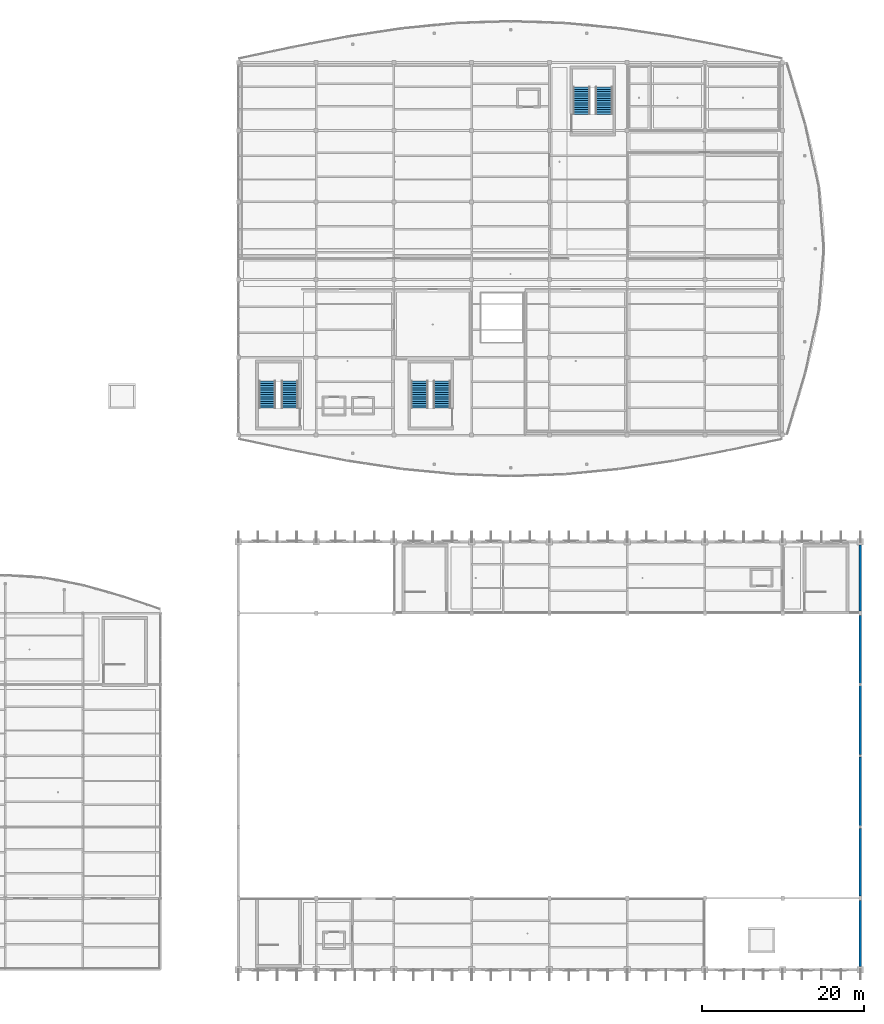
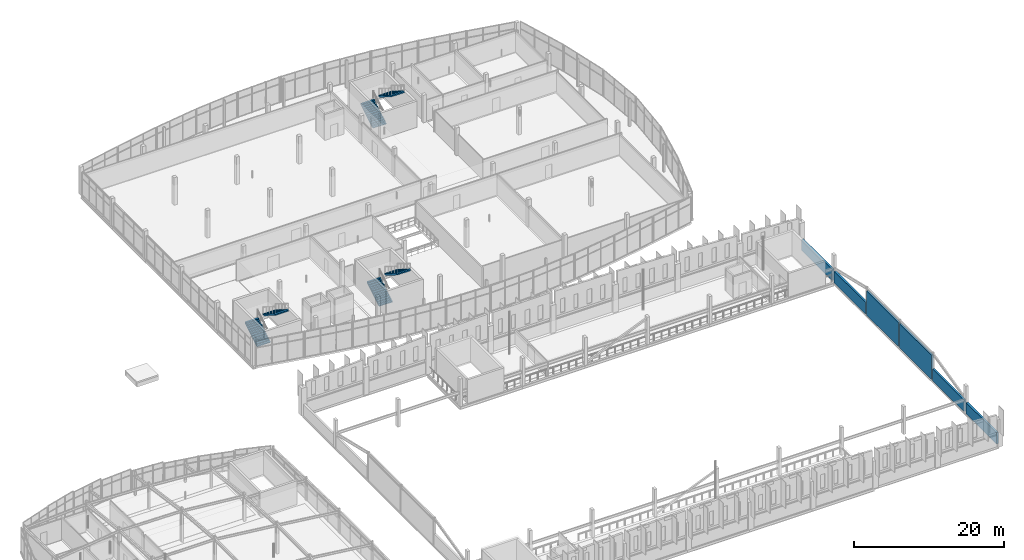
# One storey, part 99 of 114: 6 stair flights, 6 walls, 3 elements without a shape of their own.
"""IFC4 building model written with IfcOpenShell, lengths in metres."""

import ifcopenshell
import ifcopenshell.guid

model = None  # the IFC model being written
_history = None  # IfcOwnerHistory: only IFC2X3 demands one
_inside = {}  # id of a spatial element -> (the spatial element, [elements in it])
_under = {}  # id of a project, library or spatial element -> (it, [spatial elements below it])
_declared = {}  # id of a project -> (the project, [libraries it declares])
_typed = {}  # id of a type object -> (the type object, [elements of that type])
_made_of = {}  # id of a material, layer set ... -> (it, [elements and type objects made of it])


def new_model(schema):
    """Start an empty IFC model of exactly this schema.

    Asked for "IFC4X3", IfcOpenShell would pick the latest addendum, in which some entities
    have other attributes; the version numbers below select the first issue.
    IFC2X3 requires an IfcOwnerHistory on every rooted entity: one is made here for all.
    """
    global model, _history
    if schema == "IFC4X3":
        model = ifcopenshell.file(schema_version=(4, 3, 0, 0))
    else:
        model = ifcopenshell.file(schema=schema)
    _inside.clear()
    _under.clear()
    _declared.clear()
    _typed.clear()
    _made_of.clear()
    _history = None
    if model.schema == "IFC2X3":
        org = make("IfcOrganization", Name="unknown")
        user = make(
            "IfcPersonAndOrganization",
            ThePerson=make("IfcPerson", FamilyName="unknown"),
            TheOrganization=org,
        )
        app = make(
            "IfcApplication",
            ApplicationDeveloper=org,
            Version="unknown",
            ApplicationFullName="unknown",
            ApplicationIdentifier="unknown",
        )
        _history = make(
            "IfcOwnerHistory",
            OwningUser=user,
            OwningApplication=app,
            ChangeAction="ADDED",
            CreationDate=0,
        )
    return model


def make(cls, **values):
    """One entity of the class cls with the attributes given. An attribute that is None is left unset."""
    return model.create_entity(
        cls, **{name: value for name, value in values.items() if value is not None}
    )


def rooted(cls, **values):
    """An entity with a GlobalId (a new one), such as an element, a storey or a relation."""
    return make(cls, GlobalId=ifcopenshell.guid.new(), OwnerHistory=_history, **values)


def si_unit(unit_type, name, prefix=None):
    """IfcSIUnit, for example si_unit("LENGTHUNIT", "METRE", prefix="MILLI")."""
    return make("IfcSIUnit", UnitType=unit_type, Prefix=prefix, Name=name)


def assignment(units):
    """IfcUnitAssignment: the units of a project."""
    return None if units is None else make("IfcUnitAssignment", Units=units)


def point(xyz):
    """IfcCartesianPoint."""
    return None if xyz is None else make("IfcCartesianPoint", Coordinates=xyz)


def direction(xyz):
    """IfcDirection."""
    return None if xyz is None else make("IfcDirection", DirectionRatios=xyz)


def frame(location, z_axis=None, x_axis=None):
    """IfcAxis2Placement3D, a coordinate frame: its origin and axes. An axis left out is left unset."""
    return make(
        "IfcAxis2Placement3D",
        Location=point(location),
        Axis=direction(z_axis),
        RefDirection=direction(x_axis),
    )


def frame_2d(location, x_axis=None):
    """IfcAxis2Placement2D, a coordinate frame in the plane: its origin and x axis."""
    return make(
        "IfcAxis2Placement2D", Location=point(location), RefDirection=direction(x_axis)
    )


def origin():
    """The frame at (0, 0, 0) with its axes left unset."""
    return frame((0.0, 0.0, 0.0))


def place(relative_to, where):
    """IfcLocalPlacement: puts the frame where relative to a parent placement (None: the world)."""
    return make(
        "IfcLocalPlacement", PlacementRelTo=relative_to, RelativePlacement=where
    )


def context(
    kind, dimensions, precision=None, world=None, true_north=None, identifier=None
):
    """IfcGeometricRepresentationContext, for example the 3D "Model" context."""
    return make(
        "IfcGeometricRepresentationContext",
        ContextIdentifier=identifier,
        ContextType=kind,
        CoordinateSpaceDimension=dimensions,
        Precision=precision,
        WorldCoordinateSystem=world,
        TrueNorth=true_north,
    )


def subcontext(parent, identifier, kind, view, scale=None):
    """IfcGeometricRepresentationSubContext, for example "Body" below "Model"."""
    return make(
        "IfcGeometricRepresentationSubContext",
        ContextIdentifier=identifier,
        ContextType=kind,
        ParentContext=parent,
        TargetScale=scale,
        TargetView=view,
    )


def project(units=None, contexts=None):
    """IfcProject with its units and contexts."""
    return rooted(
        "IfcProject",
        Name="project",
        RepresentationContexts=contexts,
        UnitsInContext=assignment(units),
    )


def spatial(cls, under=None, at=None, **own):
    """A site, building, storey or space (cls), placed at a placement, below another one or the project."""
    s = rooted(cls, ObjectPlacement=at, **own)
    if under is not None:
        _under.setdefault(under.id(), (under, []))[1].append(s)
    return s


def polyline(points):
    """IfcPolyline through the points."""
    return make("IfcPolyline", Points=[point(p) for p in points])


def profile(cls, at=None, kind="AREA", **sizes):
    """A parametric profile (cls). Its sizes go by their IFC names, for example OverallWidth=200.0."""
    return make(cls, ProfileType=kind, Position=at, **sizes)


def rectangle(**sizes):
    """IfcRectangleProfileDef."""
    return profile("IfcRectangleProfileDef", **sizes)


def outline(outer, holes=None, kind="AREA"):
    """IfcArbitraryClosedProfileDef: a profile drawn as a closed curve; with holes, ...WithVoids."""
    if holes is None:
        return make("IfcArbitraryClosedProfileDef", ProfileType=kind, OuterCurve=outer)
    return make(
        "IfcArbitraryProfileDefWithVoids",
        ProfileType=kind,
        OuterCurve=outer,
        InnerCurves=holes,
    )


def extrude(swept, where, along, depth):
    """IfcExtrudedAreaSolid: the profile swept, set in the frame where, extruded along a direction by depth."""
    return make(
        "IfcExtrudedAreaSolid",
        SweptArea=swept,
        Position=where,
        ExtrudedDirection=direction(along),
        Depth=depth,
    )


def shape(context_of_items, identifier, shape_type, items):
    """IfcShapeRepresentation: the items that make up one representation, for example the "Body"."""
    return make(
        "IfcShapeRepresentation",
        ContextOfItems=context_of_items,
        RepresentationIdentifier=identifier,
        RepresentationType=shape_type,
        Items=items,
    )


def material(Name=None, Category=None):
    """IfcMaterial."""
    return make("IfcMaterial", Name=Name, Category=Category)


def layer(
    of_material, thickness, ventilated=None, Name=None, Category=None, Priority=None
):
    """IfcMaterialLayer: one layer of a wall or slab, of a material (None: an air gap)."""
    return make(
        "IfcMaterialLayer",
        Material=of_material,
        LayerThickness=thickness,
        IsVentilated=ventilated,
        Name=Name,
        Category=Category,
        Priority=Priority,
    )


def layer_set(layers, Name=None):
    """IfcMaterialLayerSet."""
    return make("IfcMaterialLayerSet", MaterialLayers=layers, LayerSetName=Name)


def made_of(thing, what):
    """Note that an element or type object is made of a material, layer set ...; save() writes the relation."""
    if what is not None:
        _made_of.setdefault(what.id(), (what, []))[1].append(thing)
    return thing


def type_object(cls, material=None, **own):
    """A type object (cls), such as IfcWallType, which elements share."""
    return made_of(rooted(cls, **own), material)


def element(
    cls,
    number,
    at=None,
    inside=None,
    cuts=None,
    type_object=None,
    material=None,
    context=None,
    identifier="Body",
    shape_type=None,
    held_by="IfcProductDefinitionShape",
    body=None,
    shapes=None,
    **own,
):
    """One element of the class cls, such as IfcWall. Its Tag is "e" and its number.

    at: its placement. inside: the storey or other place that contains it. cuts: it is an
    opening in that element (IfcRelVoidsElement). A single representation is given by context,
    identifier, shape_type and body (its items); several are given by shapes. held_by: the class
    of the entity that holds the representations. save() writes the other relations.
    """
    e = rooted(cls, Tag="e%d" % number, ObjectPlacement=at, **own)
    if body is not None:
        shapes = [shape(context, identifier, shape_type, body)]
    if shapes is not None:
        e.Representation = make(held_by, Representations=shapes)
    if inside is not None:
        _inside.setdefault(inside.id(), (inside, []))[1].append(e)
    if cuts is not None:
        rooted(
            "IfcRelVoidsElement", RelatingBuildingElement=cuts, RelatedOpeningElement=e
        )
    if type_object is not None:
        _typed.setdefault(type_object.id(), (type_object, []))[1].append(e)
    return made_of(e, material)


def aggregate(whole, parts):
    """IfcRelAggregates: a whole, such as a stair, and the parts it consists of."""
    return rooted("IfcRelAggregates", RelatingObject=whole, RelatedObjects=parts)


def save(model, path):
    """Write the relations noted so far, then the file.

    IfcRelAggregates (storeys below a building ...), IfcRelContainedInSpatialStructure (elements
    in a storey), IfcRelDefinesByType, IfcRelAssociatesMaterial and IfcRelDeclares: one each for
    every whole, place, type object, material and project.
    """
    for whole, parts in _under.values():
        aggregate(whole, parts)
    for where, things in _inside.values():
        rooted(
            "IfcRelContainedInSpatialStructure",
            RelatedElements=things,
            RelatingStructure=where,
        )
    for kind, things in _typed.values():
        rooted("IfcRelDefinesByType", RelatedObjects=things, RelatingType=kind)
    for what, things in _made_of.values():
        rooted("IfcRelAssociatesMaterial", RelatedObjects=things, RelatingMaterial=what)
    for by, libraries in _declared.values():
        rooted("IfcRelDeclares", RelatingContext=by, RelatedDefinitions=libraries)
    model.write(path)


model = new_model("IFC4")

# Units and contexts
model_context = context("Model", 3, precision=1e-05, world=origin(), true_north=direction((0.0, 1.0)))
body_context = subcontext(model_context, "Body", "Model", "MODEL_VIEW")
ifc_project = project(units=[si_unit("LENGTHUNIT", "METRE"), si_unit("AREAUNIT", "SQUARE_METRE"), si_unit("VOLUMEUNIT", "CUBIC_METRE"), si_unit("PLANEANGLEUNIT", "RADIAN"), si_unit("MASSUNIT", "GRAM", prefix="KILO")], contexts=[model_context])

# Site, building, storey
site_placement = place(None, origin())
site = spatial("IfcSite", under=ifc_project, at=site_placement, CompositionType="ELEMENT")
building_placement = place(site_placement, origin())
building = spatial("IfcBuilding", under=site, at=building_placement, Name="Chalmorin Arch Market", CompositionType="ELEMENT")
storey_placement = place(building_placement, frame((0.0, 0.0, 9.60009765625)))
storey = spatial("IfcBuildingStorey", under=building, at=storey_placement, Name="L02", CompositionType="ELEMENT", Elevation=9.60009765625)

# Walls
ifc_material_1 = material(Name="Concrete C30/37", Category="concrete")
ifc_layer_1 = layer(ifc_material_1, 0.300048828125)
ifc_layer_set_1 = layer_set([ifc_layer_1], Name="Concrete C30/37")
wall_type = type_object("IfcWallType", Name="ExteriorBackupWall-300", PredefinedType="STANDARD", material=ifc_layer_set_1)
wall_1_placement = place(storey_placement, frame((124.800048828125, 6.39990234375, 0.0), z_axis=(0.0, 0.0, 1.0), x_axis=(0.0, 1.0, 0.0)))
element("IfcWall", 1, at=wall_1_placement, inside=storey, type_object=wall_type, Name="EBW-300-139", PredefinedType="STANDARD", context=body_context, shape_type="SweptSolid", body=[
    extrude(rectangle(XDim=8.10009765625, YDim=0.300048828125, at=frame_2d((4.050048828125, 0.0))), origin(), (0.0, 0.0, 1.0), 1.849853515625),
])
wall_2_placement = place(storey_placement, frame((124.800048828125, 15.10009765625, 0.0), z_axis=(0.0, 0.0, 1.0), x_axis=(0.0, 1.0, 0.0)))
element("IfcWall", 2, at=wall_2_placement, inside=storey, type_object=wall_type, Name="EBW-300-141", PredefinedType="STANDARD", context=body_context, shape_type="SweptSolid", body=[
    extrude(rectangle(XDim=8.347412109375, YDim=0.300048828125, at=frame_2d((4.173828125, 0.0))), origin(), (0.0, 0.0, 1.0), 1.906494140625),
])
for number, where, z_axis, x_axis, name in (
    (3, (124.800048828125, 23.75244140625, 0.0), (0.0, 0.0, 1.0), (0.0, 1.0, 0.0), "EBW-300-143"),
    (4, (124.800048828125, 32.552490234375, 0.0), (0.0, 0.0, 1.0), (0.0, 1.0, 0.0), "EBW-300-145"),
):
    element("IfcWall", number, at=place(storey_placement, frame(where, z_axis=z_axis, x_axis=x_axis)), inside=storey, type_object=wall_type, Name=name, PredefinedType="STANDARD", context=body_context, shape_type="SweptSolid", body=[
        extrude(rectangle(XDim=8.4951171875, YDim=0.300048828125, at=frame_2d((4.24755859375, 0.0))), origin(), (0.0, 0.0, 1.0), 3.949951171875),
    ])
wall_3_placement = place(storey_placement, frame((124.800048828125, 41.352294921875, 0.0), z_axis=(0.0, 0.0, 1.0), x_axis=(0.0, 1.0, 0.0)))
element("IfcWall", 5, at=wall_3_placement, inside=storey, type_object=wall_type, Name="EBW-300-147", PredefinedType="STANDARD", context=body_context, shape_type="SweptSolid", body=[
    extrude(rectangle(XDim=8.34765625, YDim=0.300048828125, at=frame_2d((4.173828125, 0.0))), origin(), (0.0, 0.0, 1.0), 1.906494140625),
])
wall_4_placement = place(storey_placement, frame((124.800048828125, 50.300048828125, 0.0), z_axis=(0.0, 0.0, 1.0), x_axis=(0.0, 1.0, 0.0)))
element("IfcWall", 6, at=wall_4_placement, inside=storey, type_object=wall_type, Name="EBW-300-150", PredefinedType="STANDARD", context=body_context, shape_type="SweptSolid", body=[
    extrude(rectangle(XDim=8.099853515625, YDim=0.300048828125, at=frame_2d((4.0498046875, 0.0))), origin(), (0.0, 0.0, 1.0), 1.849853515625),
])

# Stair, stair flights
ifc_material_2 = material(Name="Concrete C40/50", Category="concrete")
stair_type_1 = type_object("IfcStairType", Name="DoglegExitStair-26R-SC5", PredefinedType="HALF_TURN_STAIR", material=ifc_material_2)
stair_1_placement = place(storey_placement, origin())
stair_1 = element("IfcStair", 7, at=stair_1_placement, inside=storey, type_object=stair_type_1, Name="ST-14", PredefinedType="HALF_TURN_STAIR")
ifc_layer_2 = layer(ifc_material_2, 0.1650390625)
ifc_layer_set_2 = layer_set([ifc_layer_2], Name="Concrete C40/50")
stair_flight_type = type_object("IfcStairFlightType", Name="CoreStairFlight-2050", PredefinedType="STRAIGHT", material=ifc_layer_set_2)
stair_flight_1_placement = place(storey_placement, frame((51.56494140625, 75.31005859375, 0.0), z_axis=(0.0, 0.0, 1.0), x_axis=(0.0, 1.0, 0.0)))
stair_flight_1 = element("IfcStairFlight", 8, at=stair_flight_1_placement, type_object=stair_flight_type, Name="ST-14-F1", NumberOfRisers=13, NumberOfTreads=12, PredefinedType="STRAIGHT", RiserHeight=0.173077, TreadLength=0.28, context=body_context, shape_type="SweptSolid", body=[
    extrude(outline(polyline([(0.0, 0.0), (0.0, 0.173095703125), (0.280029296875, 0.173095703125), (0.280029296875, 0.34619140625), (0.56005859375, 0.34619140625), (0.56005859375, 0.519287109375), (0.840087890625, 0.519287109375), (0.840087890625, 0.6923828125), (1.1201171875, 0.6923828125), (1.1201171875, 0.865478515625), (1.39990234375, 0.865478515625), (1.39990234375, 1.03857421875), (1.679931640625, 1.03857421875), (1.679931640625, 1.21142578125), (1.9599609375, 1.21142578125), (1.9599609375, 1.384521484375), (2.239990234375, 1.384521484375), (2.239990234375, 1.5576171875), (2.52001953125, 1.5576171875), (2.52001953125, 1.730712890625), (2.800048828125, 1.730712890625), (2.800048828125, 1.90380859375), (3.080078125, 1.90380859375), (3.080078125, 2.076904296875), (3.360107421875, 2.076904296875), (3.360107421875, 2.25), (3.360107421875, 1.8828125), (0.31396484375, 0.0), (0.0, 0.0)])), frame((0.0, 1.02490234375, 0.0), z_axis=(0.0, -1.0, 0.0), x_axis=(1.0, 0.0, 0.0)), (0.0, 0.0, 1.0), 2.050048828125),
])
stair_flight_2_placement = place(storey_placement, frame((54.3349609375, 78.669921875, 2.25), z_axis=(0.0, 0.0, 1.0), x_axis=(0.0, -1.0, 0.0)))
stair_flight_2 = element("IfcStairFlight", 9, at=stair_flight_2_placement, type_object=stair_flight_type, Name="ST-14-F2", NumberOfRisers=13, NumberOfTreads=12, PredefinedType="STRAIGHT", RiserHeight=0.173077, TreadLength=0.28, context=body_context, shape_type="SweptSolid", body=[
    extrude(outline(polyline([(0.0, 0.0), (0.0, 0.173095703125), (0.280029296875, 0.173095703125), (0.280029296875, 0.34619140625), (0.56005859375, 0.34619140625), (0.56005859375, 0.519287109375), (0.840087890625, 0.519287109375), (0.840087890625, 0.6923828125), (1.1201171875, 0.6923828125), (1.1201171875, 0.865478515625), (1.39990234375, 0.865478515625), (1.39990234375, 1.03857421875), (1.679931640625, 1.03857421875), (1.679931640625, 1.21142578125), (1.9599609375, 1.21142578125), (1.9599609375, 1.384521484375), (2.239990234375, 1.384521484375), (2.239990234375, 1.5576171875), (2.52001953125, 1.5576171875), (2.52001953125, 1.730712890625), (2.800048828125, 1.730712890625), (2.800048828125, 1.90380859375), (3.080078125, 1.90380859375), (3.080078125, 2.076904296875), (3.360107421875, 2.076904296875), (3.360107421875, 2.25), (3.360107421875, 1.8828125), (0.31396484375, 0.0), (0.0, 0.0)])), frame((0.0, 1.02490234375, 0.0), z_axis=(0.0, -1.0, 0.0), x_axis=(1.0, 0.0, 0.0)), (0.0, 0.0, 1.0), 2.050048828125),
])
aggregate(stair_1, [stair_flight_1, stair_flight_2])

stair_type_2 = type_object("IfcStairType", Name="DoglegExitStair-26R-SC6", PredefinedType="HALF_TURN_STAIR", material=ifc_material_2)
stair_2_placement = place(storey_placement, origin())
stair_2 = element("IfcStair", 10, at=stair_2_placement, inside=storey, type_object=stair_type_2, Name="ST-18", PredefinedType="HALF_TURN_STAIR")
stair_flight_3_placement = place(storey_placement, frame((90.364990234375, 111.610107421875, 0.0), z_axis=(0.0, 0.0, 1.0), x_axis=(0.0, 1.0, 0.0)))
stair_flight_3 = element("IfcStairFlight", 11, at=stair_flight_3_placement, type_object=stair_flight_type, Name="ST-18-F1", NumberOfRisers=13, NumberOfTreads=12, PredefinedType="STRAIGHT", RiserHeight=0.173077, TreadLength=0.28, context=body_context, shape_type="SweptSolid", body=[
    extrude(outline(polyline([(0.0, 0.0), (0.0, 0.173095703125), (0.280029296875, 0.173095703125), (0.280029296875, 0.34619140625), (0.56005859375, 0.34619140625), (0.56005859375, 0.519287109375), (0.840087890625, 0.519287109375), (0.840087890625, 0.6923828125), (1.1201171875, 0.6923828125), (1.1201171875, 0.865478515625), (1.39990234375, 0.865478515625), (1.39990234375, 1.03857421875), (1.679931640625, 1.03857421875), (1.679931640625, 1.21142578125), (1.9599609375, 1.21142578125), (1.9599609375, 1.384521484375), (2.239990234375, 1.384521484375), (2.239990234375, 1.5576171875), (2.52001953125, 1.5576171875), (2.52001953125, 1.730712890625), (2.800048828125, 1.730712890625), (2.800048828125, 1.90380859375), (3.080078125, 1.90380859375), (3.080078125, 2.076904296875), (3.360107421875, 2.076904296875), (3.360107421875, 2.25), (3.360107421875, 1.8828125), (0.31396484375, 0.0), (0.0, 0.0)])), frame((0.0, 1.02490234375, 0.0), z_axis=(0.0, -1.0, 0.0), x_axis=(1.0, 0.0, 0.0)), (0.0, 0.0, 1.0), 2.050048828125),
])
stair_flight_4_placement = place(storey_placement, frame((93.135009765625, 114.969970703125, 2.25), z_axis=(0.0, 0.0, 1.0), x_axis=(0.0, -1.0, 0.0)))
stair_flight_4 = element("IfcStairFlight", 12, at=stair_flight_4_placement, type_object=stair_flight_type, Name="ST-18-F2", NumberOfRisers=13, NumberOfTreads=12, PredefinedType="STRAIGHT", RiserHeight=0.173077, TreadLength=0.28, context=body_context, shape_type="SweptSolid", body=[
    extrude(outline(polyline([(0.0, 0.0), (0.0, 0.173095703125), (0.280029296875, 0.173095703125), (0.280029296875, 0.34619140625), (0.56005859375, 0.34619140625), (0.56005859375, 0.519287109375), (0.840087890625, 0.519287109375), (0.840087890625, 0.6923828125), (1.1201171875, 0.6923828125), (1.1201171875, 0.865478515625), (1.39990234375, 0.865478515625), (1.39990234375, 1.03857421875), (1.679931640625, 1.03857421875), (1.679931640625, 1.21142578125), (1.9599609375, 1.21142578125), (1.9599609375, 1.384521484375), (2.239990234375, 1.384521484375), (2.239990234375, 1.5576171875), (2.52001953125, 1.5576171875), (2.52001953125, 1.730712890625), (2.800048828125, 1.730712890625), (2.800048828125, 1.90380859375), (3.080078125, 1.90380859375), (3.080078125, 2.076904296875), (3.360107421875, 2.076904296875), (3.360107421875, 2.25), (3.360107421875, 1.8828125), (0.31396484375, 0.0), (0.0, 0.0)])), frame((0.0, 1.02490234375, 0.0), z_axis=(0.0, -1.0, 0.0), x_axis=(1.0, 0.0, 0.0)), (0.0, 0.0, 1.0), 2.050048828125),
])
aggregate(stair_2, [stair_flight_3, stair_flight_4])

stair_type_3 = type_object("IfcStairType", Name="DoglegExitStair-26R-SC7", PredefinedType="HALF_TURN_STAIR", material=ifc_material_2)
stair_3_placement = place(storey_placement, origin())
stair_3 = element("IfcStair", 13, at=stair_3_placement, inside=storey, type_object=stair_type_3, Name="ST-22", PredefinedType="HALF_TURN_STAIR")
stair_flight_5_placement = place(storey_placement, frame((70.364990234375, 75.31005859375, 0.0), z_axis=(0.0, 0.0, 1.0), x_axis=(0.0, 1.0, 0.0)))
stair_flight_5 = element("IfcStairFlight", 14, at=stair_flight_5_placement, type_object=stair_flight_type, Name="ST-22-F1", NumberOfRisers=13, NumberOfTreads=12, PredefinedType="STRAIGHT", RiserHeight=0.173077, TreadLength=0.28, context=body_context, shape_type="SweptSolid", body=[
    extrude(outline(polyline([(0.0, 0.0), (0.0, 0.173095703125), (0.280029296875, 0.173095703125), (0.280029296875, 0.34619140625), (0.56005859375, 0.34619140625), (0.56005859375, 0.519287109375), (0.840087890625, 0.519287109375), (0.840087890625, 0.6923828125), (1.1201171875, 0.6923828125), (1.1201171875, 0.865478515625), (1.39990234375, 0.865478515625), (1.39990234375, 1.03857421875), (1.679931640625, 1.03857421875), (1.679931640625, 1.21142578125), (1.9599609375, 1.21142578125), (1.9599609375, 1.384521484375), (2.239990234375, 1.384521484375), (2.239990234375, 1.5576171875), (2.52001953125, 1.5576171875), (2.52001953125, 1.730712890625), (2.800048828125, 1.730712890625), (2.800048828125, 1.90380859375), (3.080078125, 1.90380859375), (3.080078125, 2.076904296875), (3.360107421875, 2.076904296875), (3.360107421875, 2.25), (3.360107421875, 1.8828125), (0.31396484375, 0.0), (0.0, 0.0)])), frame((0.0, 1.02490234375, 0.0), z_axis=(0.0, -1.0, 0.0), x_axis=(1.0, 0.0, 0.0)), (0.0, 0.0, 1.0), 2.050048828125),
])
stair_flight_6_placement = place(storey_placement, frame((73.135009765625, 78.669921875, 2.25), z_axis=(0.0, 0.0, 1.0), x_axis=(0.0, -1.0, 0.0)))
stair_flight_6 = element("IfcStairFlight", 15, at=stair_flight_6_placement, type_object=stair_flight_type, Name="ST-22-F2", NumberOfRisers=13, NumberOfTreads=12, PredefinedType="STRAIGHT", RiserHeight=0.173077, TreadLength=0.28, context=body_context, shape_type="SweptSolid", body=[
    extrude(outline(polyline([(0.0, 0.0), (0.0, 0.173095703125), (0.280029296875, 0.173095703125), (0.280029296875, 0.34619140625), (0.56005859375, 0.34619140625), (0.56005859375, 0.519287109375), (0.840087890625, 0.519287109375), (0.840087890625, 0.6923828125), (1.1201171875, 0.6923828125), (1.1201171875, 0.865478515625), (1.39990234375, 0.865478515625), (1.39990234375, 1.03857421875), (1.679931640625, 1.03857421875), (1.679931640625, 1.21142578125), (1.9599609375, 1.21142578125), (1.9599609375, 1.384521484375), (2.239990234375, 1.384521484375), (2.239990234375, 1.5576171875), (2.52001953125, 1.5576171875), (2.52001953125, 1.730712890625), (2.800048828125, 1.730712890625), (2.800048828125, 1.90380859375), (3.080078125, 1.90380859375), (3.080078125, 2.076904296875), (3.360107421875, 2.076904296875), (3.360107421875, 2.25), (3.360107421875, 1.8828125), (0.31396484375, 0.0), (0.0, 0.0)])), frame((0.0, 1.02490234375, 0.0), z_axis=(0.0, -1.0, 0.0), x_axis=(1.0, 0.0, 0.0)), (0.0, 0.0, 1.0), 2.050048828125),
])
aggregate(stair_3, [stair_flight_5, stair_flight_6])

save(model, "model.ifc")
